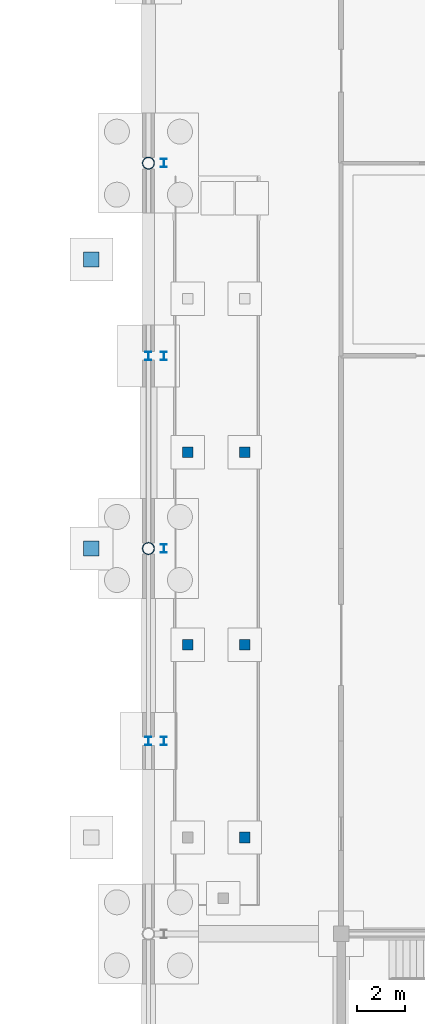
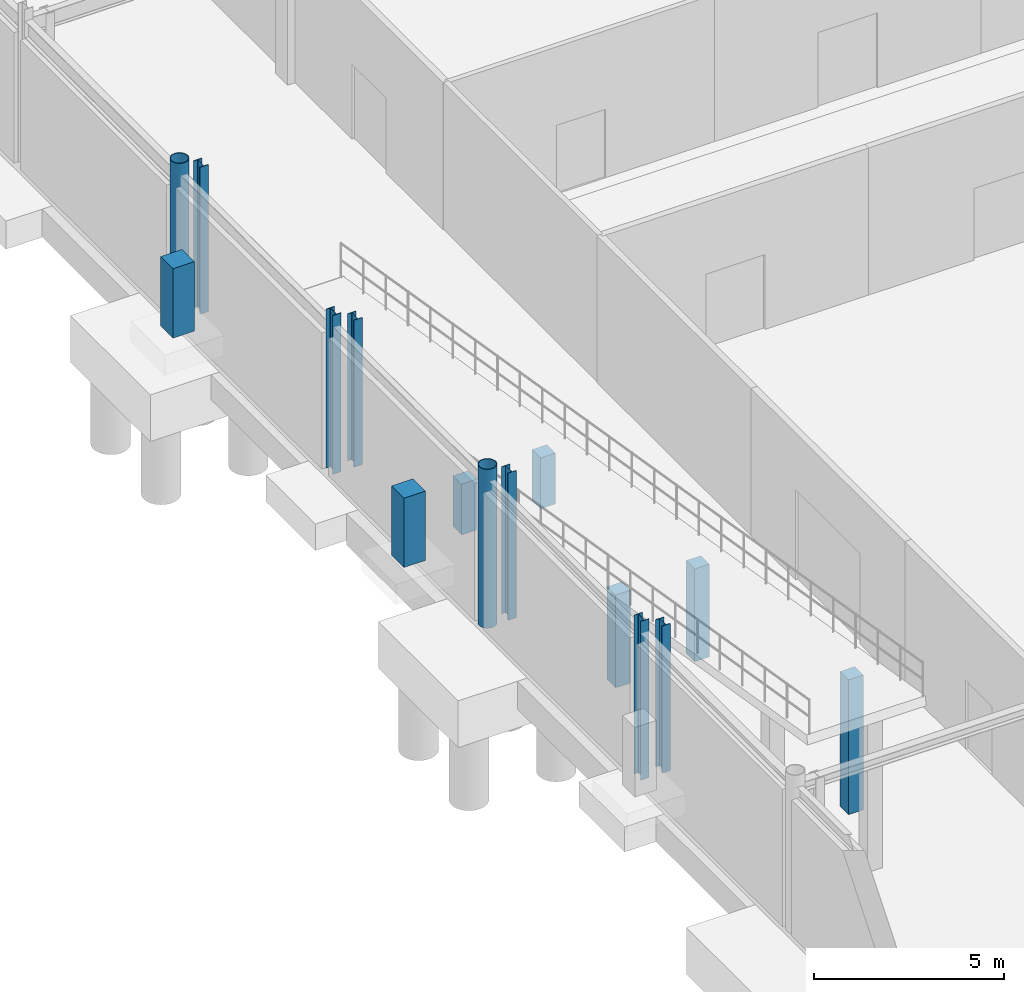
# One storey, part 18 of 67: 15 columns.
"""IFC4 building model written with IfcOpenShell, lengths in metres."""

from ifc_helpers import new_model, si_unit, direction, frame, origin, origin_2d, place, context, subcontext, project, spatial, rectangle, hollow_circle, i_section, extrude, material, material_profile, profile_set, type_object, element, save


model = new_model("IFC4")

# Units and contexts
model_context = context("Model", 3, precision=1e-05, world=origin(), true_north=direction((0.0, 1.0)))
body_context = subcontext(model_context, "Body", "Model", "MODEL_VIEW")
ifc_project = project(units=[si_unit("LENGTHUNIT", "METRE"), si_unit("AREAUNIT", "SQUARE_METRE"), si_unit("VOLUMEUNIT", "CUBIC_METRE"), si_unit("PLANEANGLEUNIT", "RADIAN"), si_unit("MASSUNIT", "GRAM", prefix="KILO")], contexts=[model_context])

# Site, building, storey
site_placement = place(None, origin())
site = spatial("IfcSite", under=ifc_project, at=site_placement, CompositionType="ELEMENT")
building_placement = place(site_placement, origin())
building = spatial("IfcBuilding", under=site, at=building_placement, Name="Vaudrelin Polytechnic", CompositionType="ELEMENT")
storey_placement = place(building_placement, frame((0.0, 0.0, -5.10009765625)))
storey = spatial("IfcBuildingStorey", under=building, at=storey_placement, Name="B1", CompositionType="ELEMENT", Elevation=-5.10009765625)

# Columns
ifc_material_1 = material(Name="Concrete 40 MPa", Category="concrete")
ifc_material_profile_1 = material_profile(ifc_material_1, rectangle(XDim=0.449951171875, YDim=0.449951171875, at=origin_2d()), Name="RC450x450")
ifc_profile_set_1 = profile_set([ifc_material_profile_1], Name="Concrete 40 MPa")
column_type_1 = type_object("IfcColumnType", Name="COL-C-RC450", PredefinedType="COLUMN", material=ifc_profile_set_1)
column_placement = place(storey_placement, frame((4.050048828125, 52.64990234375, 0.0), z_axis=(0.0, 0.0, 1.0), x_axis=(1.0, 0.0, 0.0)))
element("IfcColumn", 1, at=column_placement, inside=storey, type_object=column_type_1, Name="Vehicle ramp support pier VRMP-M1E", PredefinedType="COLUMN", context=body_context, shape_type="SweptSolid", body=[
    extrude(rectangle(XDim=0.449951171875, YDim=0.449951171875, at=origin_2d()), origin(), (0.0, 0.0, 1.0), 4.329833984375),
])
for number, where, z_axis, x_axis, name in (
    (2, (1.64990234375, 60.75, 0.0), (0.0, 0.0, 1.0), (1.0, 0.0, 0.0), "Vehicle ramp support pier VRMP-M2W"),
    (3, (4.050048828125, 60.75, 0.0), (0.0, 0.0, 1.0), (1.0, 0.0, 0.0), "Vehicle ramp support pier VRMP-M2E"),
):
    element("IfcColumn", number, at=place(storey_placement, frame(where, z_axis=z_axis, x_axis=x_axis)), inside=storey, type_object=column_type_1, Name=name, PredefinedType="COLUMN", context=body_context, shape_type="SweptSolid", body=[
        extrude(rectangle(XDim=0.449951171875, YDim=0.449951171875, at=origin_2d()), origin(), (0.0, 0.0, 1.0), 2.979736328125),
    ])
for number, where, z_axis, x_axis, name in (
    (4, (1.64990234375, 68.85009765625, 0.0), (0.0, 0.0, 1.0), (1.0, 0.0, 0.0), "Vehicle ramp support pier VRMP-M3W"),
    (5, (4.050048828125, 68.85009765625, 0.0), (0.0, 0.0, 1.0), (1.0, 0.0, 0.0), "Vehicle ramp support pier VRMP-M3E"),
):
    element("IfcColumn", number, at=place(storey_placement, frame(where, z_axis=z_axis, x_axis=x_axis)), inside=storey, type_object=column_type_1, Name=name, PredefinedType="COLUMN", context=body_context, shape_type="SweptSolid", body=[
        extrude(rectangle(XDim=0.449951171875, YDim=0.449951171875, at=origin_2d()), origin(), (0.0, 0.0, 1.0), 1.6298828125),
    ])
ifc_material_profile_2 = material_profile(ifc_material_1, rectangle(XDim=0.64990234375, YDim=0.64990234375, at=origin_2d()), Name="RC650x650")
ifc_profile_set_2 = profile_set([ifc_material_profile_2], Name="Concrete 40 MPa")
column_type_2 = type_object("IfcColumnType", Name="COL-C-RC650", PredefinedType="COLUMN", material=ifc_profile_set_2)
for number, where, z_axis, x_axis, name in (
    (6, (-2.39990234375, 64.800048828125, 2.920166015625), (0.0, 0.0, 1.0), (1.0, 0.0, 0.0), "Workshop street V-strut concrete pedestal 8"),
    (7, (-2.39990234375, 76.949951171875, 2.920166015625), (0.0, 0.0, 1.0), (1.0, 0.0, 0.0), "Workshop street V-strut concrete pedestal 10"),
):
    element("IfcColumn", number, at=place(storey_placement, frame(where, z_axis=z_axis, x_axis=x_axis)), inside=storey, type_object=column_type_2, Name=name, PredefinedType="COLUMN", context=body_context, shape_type="SweptSolid", body=[
        extrude(rectangle(XDim=0.64990234375, YDim=0.64990234375, at=origin_2d()), origin(), (0.0, 0.0, 1.0), 2.22998046875),
    ])
ifc_material_2 = material(Name="Steel CSA G40.21 350WT", Category="steel")
ifc_material_profile_3 = material_profile(ifc_material_2, hollow_circle(Radius=0.25390625, WallThickness=0.01904296875, at=origin_2d()), Name="CHS508.0x19.1")
ifc_profile_set_3 = profile_set([ifc_material_profile_3], Name="Steel CSA G40.21 350WT")
column_type_3 = type_object("IfcColumnType", Name="COL-C-TR508", PredefinedType="COLUMN", material=ifc_profile_set_3)
for number, where, z_axis, x_axis, name in (
    (8, (0.0, 64.800048828125, 0.0), (0.0, 0.0, 1.0), (1.0, 0.0, 0.0), "Column B1 1-9"),
    (9, (0.0, 81.0, 0.0), (0.0, 0.0, 1.0), (1.0, 0.0, 0.0), "Column B1 1-11"),
):
    element("IfcColumn", number, at=place(storey_placement, frame(where, z_axis=z_axis, x_axis=x_axis)), inside=storey, type_object=column_type_3, Name=name, PredefinedType="COLUMN", context=body_context, shape_type="SweptSolid", body=[
        extrude(hollow_circle(Radius=0.25390625, WallThickness=0.01904296875, at=origin_2d()), origin(), (0.0, 0.0, 1.0), 5.10009765625),
    ])
ifc_material_3 = material(Name="Steel CSA G40.21 350W", Category="steel")
ifc_material_profile_4 = material_profile(ifc_material_3, i_section(OverallWidth=0.25390625, OverallDepth=0.35302734375, WebThickness=0.009521484375, FlangeThickness=0.016357421875, FilletRadius=0.01611328125, at=origin_2d()), Name="W360x91")
ifc_profile_set_4 = profile_set([ifc_material_profile_4], Name="Steel CSA G40.21 350W")
column_type_4 = type_object("IfcColumnType", Name="COL-C-W360", PredefinedType="PILASTER", material=ifc_profile_set_4)
for number, where, z_axis, x_axis, name in (
    (10, (0.0, 56.699951171875, 0.0), (0.0, 0.0, 1.0), (1.0, 0.0, 0.0), "Column B1 1-8"),
    (11, (0.0, 72.89990234375, 0.0), (0.0, 0.0, 1.0), (1.0, 0.0, 0.0), "Column B1 1-10"),
):
    element("IfcColumn", number, at=place(storey_placement, frame(where, z_axis=z_axis, x_axis=x_axis)), inside=storey, type_object=column_type_4, Name=name, PredefinedType="PILASTER", context=body_context, shape_type="SweptSolid", body=[
        extrude(i_section(OverallWidth=0.25390625, OverallDepth=0.35302734375, WebThickness=0.009521484375, FlangeThickness=0.016357421875, FilletRadius=0.01611328125, at=origin_2d()), origin(), (0.0, 0.0, 1.0), 5.10009765625),
    ])
for number, where, z_axis, x_axis, name in (
    (12, (0.64990234375, 56.699951171875, 0.0), (0.0, 0.0, 1.0), (1.0, 0.0, 0.0), "Basement crane support post WEST-7"),
    (13, (0.64990234375, 64.800048828125, 0.0), (0.0, 0.0, 1.0), (1.0, 0.0, 0.0), "Basement crane support post WEST-8"),
    (14, (0.64990234375, 72.89990234375, 0.0), (0.0, 0.0, 1.0), (1.0, 0.0, 0.0), "Basement crane support post WEST-9"),
    (15, (0.64990234375, 81.0, 0.0), (0.0, 0.0, 1.0), (1.0, 0.0, 0.0), "Basement crane support post WEST-10"),
):
    element("IfcColumn", number, at=place(storey_placement, frame(where, z_axis=z_axis, x_axis=x_axis)), inside=storey, type_object=column_type_4, Name=name, PredefinedType="PILASTER", context=body_context, shape_type="SweptSolid", body=[
        extrude(i_section(OverallWidth=0.25390625, OverallDepth=0.35302734375, WebThickness=0.009521484375, FlangeThickness=0.016357421875, FilletRadius=0.01611328125, at=origin_2d()), origin(), (0.0, 0.0, 1.0), 4.72412109375),
    ])

save(model, "model.ifc")
